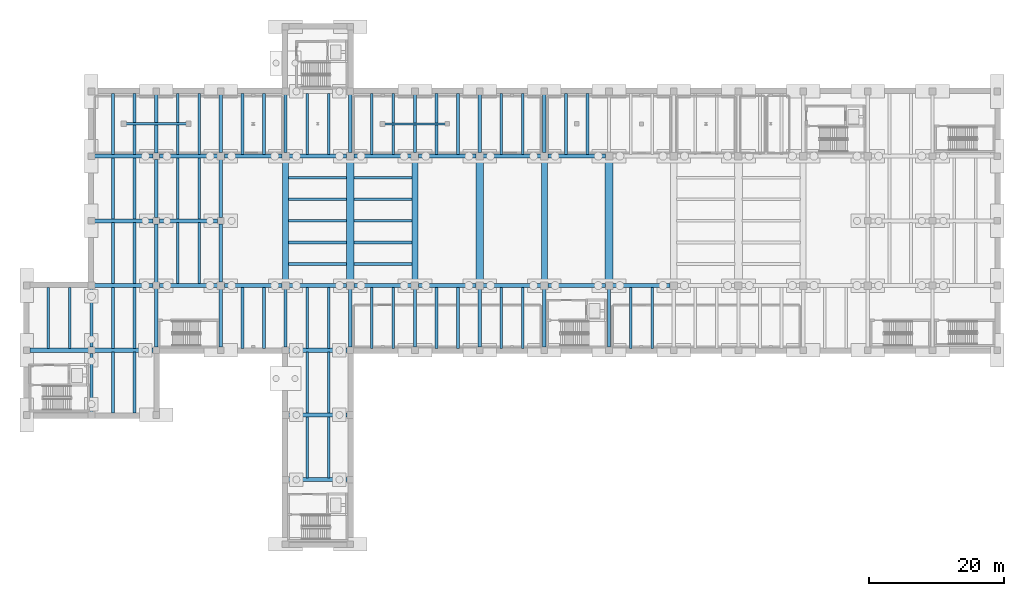
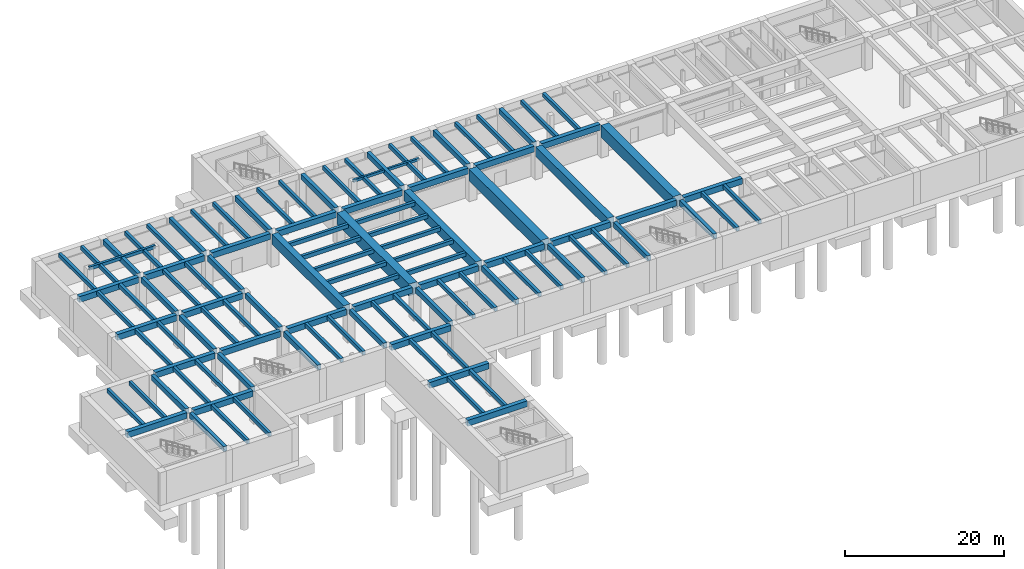
# One storey, part 7 of 24: 109 beams.
"""IFC4 building model written with IfcOpenShell, lengths in metres."""

from ifc_helpers import new_model, si_unit, direction, frame, origin, origin_2d, place, context, subcontext, project, spatial, rectangle, extrude, material, material_profile, profile_set, type_object, element, save


model = new_model("IFC4")

# Units and contexts
model_context = context("Model", 3, precision=1e-05, world=origin(), true_north=direction((0.0, 1.0)))
body_context = subcontext(model_context, "Body", "Model", "MODEL_VIEW")
ifc_project = project(units=[si_unit("LENGTHUNIT", "METRE"), si_unit("AREAUNIT", "SQUARE_METRE"), si_unit("VOLUMEUNIT", "CUBIC_METRE"), si_unit("PLANEANGLEUNIT", "RADIAN"), si_unit("MASSUNIT", "GRAM", prefix="KILO")], contexts=[model_context])

# Site, building, storey
site_placement = place(None, origin())
site = spatial("IfcSite", under=ifc_project, at=site_placement, CompositionType="ELEMENT")
building_placement = place(site_placement, origin())
building = spatial("IfcBuilding", under=site, at=building_placement, Name="Coralgate Yard Interchange", CompositionType="ELEMENT")
storey_placement = place(building_placement, frame((0.0, 0.0, -10.800048828125)))
storey = spatial("IfcBuildingStorey", under=building, at=storey_placement, Name="B2", CompositionType="ELEMENT", Elevation=-10.800048828125)

# Beams
ifc_material = material(Name="Concrete C40/50", Category="concrete")
ifc_material_profile_1 = material_profile(ifc_material, rectangle(XDim=0.60009765625, YDim=0.89990234375, at=origin_2d()), Name="RC 600x900")
ifc_profile_set_1 = profile_set([ifc_material_profile_1], Name="Concrete C40/50")
beam_type_1 = type_object("IfcBeamType", Name="BM-CB-3", PredefinedType="BEAM", material=ifc_profile_set_1)
for number, where, z_axis, x_axis, name in (
    (1, (48.469970703125, 19.199951171875, 4.60009765625), (1.0, 0.0, 0.0), (0.0, 1.0, 0.0), "B2 primary grid beam Y2 X5-6"),
    (2, (48.469970703125, 28.800048828125, 4.60009765625), (1.0, 0.0, 0.0), (0.0, 1.0, 0.0), "B2 primary grid beam Y3 X5-6"),
    (3, (10.070068359375, 38.39990234375, 4.60009765625), (1.0, 0.0, 0.0), (0.0, 1.0, 0.0), "B2 primary grid beam Y4 X1-2"),
):
    element("IfcBeam", number, at=place(storey_placement, frame(where, z_axis=z_axis, x_axis=x_axis)), inside=storey, type_object=beam_type_1, Name=name, PredefinedType="BEAM", context=body_context, shape_type="SweptSolid", body=[
        extrude(rectangle(XDim=0.60009765625, YDim=0.89990234375, at=origin_2d()), origin(), (0.0, 0.0, 1.0), 8.659912109375),
    ])
beam_1_placement = place(storey_placement, frame((19.669921875, 38.39990234375, 4.60009765625), z_axis=(1.0, 0.0, 0.0), x_axis=(0.0, 1.0, 0.0)))
element("IfcBeam", 4, at=beam_1_placement, inside=storey, type_object=beam_type_1, Name="B2 primary grid beam Y4 X2-3", PredefinedType="BEAM", context=body_context, shape_type="SweptSolid", body=[
    extrude(rectangle(XDim=0.60009765625, YDim=0.89990234375, at=origin_2d()), origin(), (0.0, 0.0, 1.0), 8.66015625),
])
beam_2_placement = place(storey_placement, frame((48.469970703125, 38.39990234375, 4.60009765625), z_axis=(1.0, 0.0, 0.0), x_axis=(0.0, 1.0, 0.0)))
element("IfcBeam", 5, at=beam_2_placement, inside=storey, type_object=beam_type_1, Name="B2 primary grid beam Y4 X5-6", PredefinedType="BEAM", context=body_context, shape_type="SweptSolid", body=[
    extrude(rectangle(XDim=0.60009765625, YDim=0.89990234375, at=origin_2d()), origin(), (0.0, 0.0, 1.0), 8.659912109375),
])
beam_3_placement = place(storey_placement, frame((19.669921875, 48.0, 4.60009765625), z_axis=(1.0, 0.0, 0.0), x_axis=(0.0, 1.0, 0.0)))
element("IfcBeam", 6, at=beam_3_placement, inside=storey, type_object=beam_type_1, Name="B2 primary grid beam Y5 X2-3", PredefinedType="BEAM", context=body_context, shape_type="SweptSolid", body=[
    extrude(rectangle(XDim=0.60009765625, YDim=0.89990234375, at=origin_2d()), origin(), (0.0, 0.0, 1.0), 8.66015625),
])
beam_4_placement = place(storey_placement, frame((29.27001953125, 48.0, 4.60009765625), z_axis=(1.0, 0.0, 0.0), x_axis=(0.0, 1.0, 0.0)))
element("IfcBeam", 7, at=beam_4_placement, inside=storey, type_object=beam_type_1, Name="B2 primary grid beam Y5 X3-4", PredefinedType="BEAM", context=body_context, shape_type="SweptSolid", body=[
    extrude(rectangle(XDim=0.60009765625, YDim=0.89990234375, at=origin_2d()), origin(), (0.0, 0.0, 1.0), 8.60986328125),
])
for number, where, z_axis, x_axis, name in (
    (8, (38.919921875, 48.0, 4.60009765625), (1.0, 0.0, 0.0), (0.0, 1.0, 0.0), "B2 primary grid beam Y5 X4-5"),
    (9, (48.52001953125, 48.0, 4.60009765625), (1.0, 0.0, 0.0), (0.0, 1.0, 0.0), "B2 primary grid beam Y5 X5-6"),
):
    element("IfcBeam", number, at=place(storey_placement, frame(where, z_axis=z_axis, x_axis=x_axis)), inside=storey, type_object=beam_type_1, Name=name, PredefinedType="BEAM", context=body_context, shape_type="SweptSolid", body=[
        extrude(rectangle(XDim=0.60009765625, YDim=0.89990234375, at=origin_2d()), origin(), (0.0, 0.0, 1.0), 8.56005859375),
    ])
beam_5_placement = place(storey_placement, frame((58.1201171875, 48.0, 4.60009765625), z_axis=(1.0, 0.0, 0.0), x_axis=(0.0, 1.0, 0.0)))
element("IfcBeam", 10, at=beam_5_placement, inside=storey, type_object=beam_type_1, Name="B2 primary grid beam Y5 X6-7", PredefinedType="BEAM", context=body_context, shape_type="SweptSolid", body=[
    extrude(rectangle(XDim=0.60009765625, YDim=0.89990234375, at=origin_2d()), origin(), (0.0, 0.0, 1.0), 8.559814453125),
])
beam_6_placement = place(storey_placement, frame((67.719970703125, 48.0, 4.60009765625), z_axis=(1.0, 0.0, 0.0), x_axis=(0.0, 1.0, 0.0)))
element("IfcBeam", 11, at=beam_6_placement, inside=storey, type_object=beam_type_1, Name="B2 primary grid beam Y5 X7-8", PredefinedType="BEAM", context=body_context, shape_type="SweptSolid", body=[
    extrude(rectangle(XDim=0.60009765625, YDim=0.89990234375, at=origin_2d()), origin(), (0.0, 0.0, 1.0), 8.56005859375),
])
beam_7_placement = place(storey_placement, frame((77.320068359375, 48.0, 4.60009765625), z_axis=(1.0, 0.0, 0.0), x_axis=(0.0, 1.0, 0.0)))
element("IfcBeam", 12, at=beam_7_placement, inside=storey, type_object=beam_type_1, Name="B2 primary grid beam Y5 X8-9", PredefinedType="BEAM", context=body_context, shape_type="SweptSolid", body=[
    extrude(rectangle(XDim=0.60009765625, YDim=0.89990234375, at=origin_2d()), origin(), (0.0, 0.0, 1.0), 8.559814453125),
])
for number, where, z_axis, x_axis, name in (
    (13, (86.919921875, 48.0, 4.60009765625), (1.0, 0.0, 0.0), (0.0, 1.0, 0.0), "B2 primary grid beam Y5 X9-10"),
    (14, (96.52001953125, 48.0, 4.60009765625), (1.0, 0.0, 0.0), (0.0, 1.0, 0.0), "B2 primary grid beam Y5 X10-11"),
):
    element("IfcBeam", number, at=place(storey_placement, frame(where, z_axis=z_axis, x_axis=x_axis)), inside=storey, type_object=beam_type_1, Name=name, PredefinedType="BEAM", context=body_context, shape_type="SweptSolid", body=[
        extrude(rectangle(XDim=0.60009765625, YDim=0.89990234375, at=origin_2d()), origin(), (0.0, 0.0, 1.0), 8.56005859375),
    ])
beam_8_placement = place(storey_placement, frame((19.669921875, 57.60009765625, 4.60009765625), z_axis=(1.0, 0.0, 0.0), x_axis=(0.0, 1.0, 0.0)))
element("IfcBeam", 15, at=beam_8_placement, inside=storey, type_object=beam_type_1, Name="B2 primary grid beam Y6 X2-3", PredefinedType="BEAM", context=body_context, shape_type="SweptSolid", body=[
    extrude(rectangle(XDim=0.60009765625, YDim=0.89990234375, at=origin_2d()), origin(), (0.0, 0.0, 1.0), 8.66015625),
])
beam_9_placement = place(storey_placement, frame((29.27001953125, 57.60009765625, 4.60009765625), z_axis=(1.0, 0.0, 0.0), x_axis=(0.0, 1.0, 0.0)))
element("IfcBeam", 16, at=beam_9_placement, inside=storey, type_object=beam_type_1, Name="B2 primary grid beam Y6 X3-4", PredefinedType="BEAM", context=body_context, shape_type="SweptSolid", body=[
    extrude(rectangle(XDim=0.60009765625, YDim=0.89990234375, at=origin_2d()), origin(), (0.0, 0.0, 1.0), 8.659912109375),
])
beam_10_placement = place(storey_placement, frame((19.669921875, 67.199951171875, 4.60009765625), z_axis=(1.0, 0.0, 0.0), x_axis=(0.0, 1.0, 0.0)))
element("IfcBeam", 17, at=beam_10_placement, inside=storey, type_object=beam_type_1, Name="B2 primary grid beam Y7 X2-3", PredefinedType="BEAM", context=body_context, shape_type="SweptSolid", body=[
    extrude(rectangle(XDim=0.60009765625, YDim=0.89990234375, at=origin_2d()), origin(), (0.0, 0.0, 1.0), 8.66015625),
])
beam_11_placement = place(storey_placement, frame((29.27001953125, 67.199951171875, 4.60009765625), z_axis=(1.0, 0.0, 0.0), x_axis=(0.0, 1.0, 0.0)))
element("IfcBeam", 18, at=beam_11_placement, inside=storey, type_object=beam_type_1, Name="B2 primary grid beam Y7 X3-4", PredefinedType="BEAM", context=body_context, shape_type="SweptSolid", body=[
    extrude(rectangle(XDim=0.60009765625, YDim=0.89990234375, at=origin_2d()), origin(), (0.0, 0.0, 1.0), 8.60986328125),
])
for number, where, z_axis, x_axis, name in (
    (19, (38.919921875, 67.199951171875, 4.60009765625), (1.0, 0.0, 0.0), (0.0, 1.0, 0.0), "B2 primary grid beam Y7 X4-5"),
    (20, (48.52001953125, 67.199951171875, 4.60009765625), (1.0, 0.0, 0.0), (0.0, 1.0, 0.0), "B2 primary grid beam Y7 X5-6"),
):
    element("IfcBeam", number, at=place(storey_placement, frame(where, z_axis=z_axis, x_axis=x_axis)), inside=storey, type_object=beam_type_1, Name=name, PredefinedType="BEAM", context=body_context, shape_type="SweptSolid", body=[
        extrude(rectangle(XDim=0.60009765625, YDim=0.89990234375, at=origin_2d()), origin(), (0.0, 0.0, 1.0), 8.56005859375),
    ])
beam_12_placement = place(storey_placement, frame((58.1201171875, 67.199951171875, 4.60009765625), z_axis=(1.0, 0.0, 0.0), x_axis=(0.0, 1.0, 0.0)))
element("IfcBeam", 21, at=beam_12_placement, inside=storey, type_object=beam_type_1, Name="B2 primary grid beam Y7 X6-7", PredefinedType="BEAM", context=body_context, shape_type="SweptSolid", body=[
    extrude(rectangle(XDim=0.60009765625, YDim=0.89990234375, at=origin_2d()), origin(), (0.0, 0.0, 1.0), 8.559814453125),
])
beam_13_placement = place(storey_placement, frame((67.719970703125, 67.199951171875, 4.60009765625), z_axis=(1.0, 0.0, 0.0), x_axis=(0.0, 1.0, 0.0)))
element("IfcBeam", 22, at=beam_13_placement, inside=storey, type_object=beam_type_1, Name="B2 primary grid beam Y7 X7-8", PredefinedType="BEAM", context=body_context, shape_type="SweptSolid", body=[
    extrude(rectangle(XDim=0.60009765625, YDim=0.89990234375, at=origin_2d()), origin(), (0.0, 0.0, 1.0), 8.56005859375),
])
beam_14_placement = place(storey_placement, frame((77.320068359375, 67.199951171875, 4.60009765625), z_axis=(1.0, 0.0, 0.0), x_axis=(0.0, 1.0, 0.0)))
element("IfcBeam", 23, at=beam_14_placement, inside=storey, type_object=beam_type_1, Name="B2 primary grid beam Y7 X8-9", PredefinedType="BEAM", context=body_context, shape_type="SweptSolid", body=[
    extrude(rectangle(XDim=0.60009765625, YDim=0.89990234375, at=origin_2d()), origin(), (0.0, 0.0, 1.0), 8.559814453125),
])
beam_15_placement = place(storey_placement, frame((86.919921875, 67.199951171875, 4.60009765625), z_axis=(1.0, 0.0, 0.0), x_axis=(0.0, 1.0, 0.0)))
element("IfcBeam", 24, at=beam_15_placement, inside=storey, type_object=beam_type_1, Name="B2 primary grid beam Y7 X9-10", PredefinedType="BEAM", context=body_context, shape_type="SweptSolid", body=[
    extrude(rectangle(XDim=0.60009765625, YDim=0.89990234375, at=origin_2d()), origin(), (0.0, 0.0, 1.0), 8.56005859375),
])
ifc_material_profile_2 = material_profile(ifc_material, rectangle(XDim=0.5, YDim=0.800048828125, at=origin_2d()), Name="RC 500x800")
ifc_profile_set_2 = profile_set([ifc_material_profile_2], Name="Concrete C40/50")
beam_type_2 = type_object("IfcBeamType", Name="BM-CB-4", PredefinedType="BEAM", material=ifc_profile_set_2)
for number, where, z_axis, x_axis, name in (
    (25, (19.199951171875, 29.27001953125, 4.650146484375), (0.0, 1.0, 0.0), (-1.0, 0.0, 0.0), "B2 primary grid girder X2 Y3-4"),
    (26, (19.199951171875, 38.8701171875, 4.650146484375), (0.0, 1.0, 0.0), (-1.0, 0.0, 0.0), "B2 primary grid girder X2 Y4-5"),
    (27, (28.800048828125, 38.8701171875, 4.650146484375), (0.0, 1.0, 0.0), (-1.0, 0.0, 0.0), "B2 primary grid girder X3 Y4-5"),
    (28, (28.800048828125, 48.469970703125, 4.650146484375), (0.0, 1.0, 0.0), (-1.0, 0.0, 0.0), "B2 primary grid girder X3 Y5-6"),
    (29, (28.800048828125, 58.070068359375, 4.650146484375), (0.0, 1.0, 0.0), (-1.0, 0.0, 0.0), "B2 primary grid girder X3 Y6-7"),
):
    element("IfcBeam", number, at=place(storey_placement, frame(where, z_axis=z_axis, x_axis=x_axis)), inside=storey, type_object=beam_type_2, Name=name, PredefinedType="BEAM", context=body_context, shape_type="SweptSolid", body=[
        extrude(rectangle(XDim=0.5, YDim=0.800048828125, at=origin_2d()), origin(), (0.0, 0.0, 1.0), 8.659912109375),
    ])
beam_16_placement = place(storey_placement, frame((28.800048828125, 67.669921875, 4.650146484375), z_axis=(0.0, 1.0, 0.0), x_axis=(-1.0, 0.0, 0.0)))
element("IfcBeam", 30, at=beam_16_placement, inside=storey, type_object=beam_type_2, Name="B2 primary grid girder X3 Y7-8", PredefinedType="BEAM", context=body_context, shape_type="SweptSolid", body=[
    extrude(rectangle(XDim=0.5, YDim=0.800048828125, at=origin_2d()), origin(), (0.0, 0.0, 1.0), 8.66015625),
])
for number, where, z_axis, x_axis, name in (
    (31, (38.39990234375, 38.8701171875, 4.650146484375), (0.0, 1.0, 0.0), (-1.0, 0.0, 0.0), "B2 primary grid girder X4 Y4-5"),
    (32, (38.39990234375, 48.52001953125, 4.650146484375), (0.0, 1.0, 0.0), (-1.0, 0.0, 0.0), "B2 primary grid girder X4 Y5-6"),
    (33, (38.39990234375, 58.070068359375, 4.650146484375), (0.0, 1.0, 0.0), (-1.0, 0.0, 0.0), "B2 primary grid girder X4 Y6-7"),
):
    element("IfcBeam", number, at=place(storey_placement, frame(where, z_axis=z_axis, x_axis=x_axis)), inside=storey, type_object=beam_type_2, Name=name, PredefinedType="BEAM", context=body_context, shape_type="SweptSolid", body=[
        extrude(rectangle(XDim=0.5, YDim=0.800048828125, at=origin_2d()), origin(), (0.0, 0.0, 1.0), 8.60986328125),
    ])
beam_17_placement = place(storey_placement, frame((38.39990234375, 67.719970703125, 4.650146484375), z_axis=(0.0, 1.0, 0.0), x_axis=(-1.0, 0.0, 0.0)))
element("IfcBeam", 34, at=beam_17_placement, inside=storey, type_object=beam_type_2, Name="B2 primary grid girder X4 Y7-8", PredefinedType="BEAM", context=body_context, shape_type="SweptSolid", body=[
    extrude(rectangle(XDim=0.5, YDim=0.800048828125, at=origin_2d()), origin(), (0.0, 0.0, 1.0), 8.610107421875),
])
beam_18_placement = place(storey_placement, frame((48.0, 38.8701171875, 4.650146484375), z_axis=(0.0, 1.0, 0.0), x_axis=(-1.0, 0.0, 0.0)))
element("IfcBeam", 35, at=beam_18_placement, inside=storey, type_object=beam_type_2, Name="B2 primary grid girder X5 Y4-5", PredefinedType="BEAM", context=body_context, shape_type="SweptSolid", body=[
    extrude(rectangle(XDim=0.5, YDim=0.800048828125, at=origin_2d()), origin(), (0.0, 0.0, 1.0), 8.60986328125),
])
beam_19_placement = place(storey_placement, frame((48.0, 67.719970703125, 4.650146484375), z_axis=(0.0, 1.0, 0.0), x_axis=(-1.0, 0.0, 0.0)))
element("IfcBeam", 36, at=beam_19_placement, inside=storey, type_object=beam_type_2, Name="B2 primary grid girder X5 Y7-8", PredefinedType="BEAM", context=body_context, shape_type="SweptSolid", body=[
    extrude(rectangle(XDim=0.5, YDim=0.800048828125, at=origin_2d()), origin(), (0.0, 0.0, 1.0), 8.610107421875),
])
beam_20_placement = place(storey_placement, frame((57.60009765625, 38.8701171875, 4.650146484375), z_axis=(0.0, 1.0, 0.0), x_axis=(-1.0, 0.0, 0.0)))
element("IfcBeam", 37, at=beam_20_placement, inside=storey, type_object=beam_type_2, Name="B2 primary grid girder X6 Y4-5", PredefinedType="BEAM", context=body_context, shape_type="SweptSolid", body=[
    extrude(rectangle(XDim=0.5, YDim=0.800048828125, at=origin_2d()), origin(), (0.0, 0.0, 1.0), 8.60986328125),
])
beam_21_placement = place(storey_placement, frame((57.60009765625, 67.719970703125, 4.650146484375), z_axis=(0.0, 1.0, 0.0), x_axis=(-1.0, 0.0, 0.0)))
element("IfcBeam", 38, at=beam_21_placement, inside=storey, type_object=beam_type_2, Name="B2 primary grid girder X6 Y7-8", PredefinedType="BEAM", context=body_context, shape_type="SweptSolid", body=[
    extrude(rectangle(XDim=0.5, YDim=0.800048828125, at=origin_2d()), origin(), (0.0, 0.0, 1.0), 8.610107421875),
])
beam_22_placement = place(storey_placement, frame((67.199951171875, 38.8701171875, 4.650146484375), z_axis=(0.0, 1.0, 0.0), x_axis=(-1.0, 0.0, 0.0)))
element("IfcBeam", 39, at=beam_22_placement, inside=storey, type_object=beam_type_2, Name="B2 primary grid girder X7 Y4-5", PredefinedType="BEAM", context=body_context, shape_type="SweptSolid", body=[
    extrude(rectangle(XDim=0.5, YDim=0.800048828125, at=origin_2d()), origin(), (0.0, 0.0, 1.0), 8.60986328125),
])
beam_23_placement = place(storey_placement, frame((67.199951171875, 67.719970703125, 4.650146484375), z_axis=(0.0, 1.0, 0.0), x_axis=(-1.0, 0.0, 0.0)))
element("IfcBeam", 40, at=beam_23_placement, inside=storey, type_object=beam_type_2, Name="B2 primary grid girder X7 Y7-8", PredefinedType="BEAM", context=body_context, shape_type="SweptSolid", body=[
    extrude(rectangle(XDim=0.5, YDim=0.800048828125, at=origin_2d()), origin(), (0.0, 0.0, 1.0), 8.610107421875),
])
beam_24_placement = place(storey_placement, frame((76.800048828125, 38.8701171875, 4.650146484375), z_axis=(0.0, 1.0, 0.0), x_axis=(-1.0, 0.0, 0.0)))
element("IfcBeam", 41, at=beam_24_placement, inside=storey, type_object=beam_type_2, Name="B2 primary grid girder X8 Y4-5", PredefinedType="BEAM", context=body_context, shape_type="SweptSolid", body=[
    extrude(rectangle(XDim=0.5, YDim=0.800048828125, at=origin_2d()), origin(), (0.0, 0.0, 1.0), 8.60986328125),
])
beam_25_placement = place(storey_placement, frame((76.800048828125, 67.719970703125, 4.650146484375), z_axis=(0.0, 1.0, 0.0), x_axis=(-1.0, 0.0, 0.0)))
element("IfcBeam", 42, at=beam_25_placement, inside=storey, type_object=beam_type_2, Name="B2 primary grid girder X8 Y7-8", PredefinedType="BEAM", context=body_context, shape_type="SweptSolid", body=[
    extrude(rectangle(XDim=0.5, YDim=0.800048828125, at=origin_2d()), origin(), (0.0, 0.0, 1.0), 8.610107421875),
])
beam_26_placement = place(storey_placement, frame((86.39990234375, 38.8701171875, 4.650146484375), z_axis=(0.0, 1.0, 0.0), x_axis=(-1.0, 0.0, 0.0)))
element("IfcBeam", 43, at=beam_26_placement, inside=storey, type_object=beam_type_2, Name="B2 primary grid girder X9 Y4-5", PredefinedType="BEAM", context=body_context, shape_type="SweptSolid", body=[
    extrude(rectangle(XDim=0.5, YDim=0.800048828125, at=origin_2d()), origin(), (0.0, 0.0, 1.0), 8.60986328125),
])
beam_27_placement = place(storey_placement, frame((86.39990234375, 67.719970703125, 4.650146484375), z_axis=(0.0, 1.0, 0.0), x_axis=(-1.0, 0.0, 0.0)))
element("IfcBeam", 44, at=beam_27_placement, inside=storey, type_object=beam_type_2, Name="B2 primary grid girder X9 Y7-8", PredefinedType="BEAM", context=body_context, shape_type="SweptSolid", body=[
    extrude(rectangle(XDim=0.5, YDim=0.800048828125, at=origin_2d()), origin(), (0.0, 0.0, 1.0), 8.610107421875),
])
beam_28_placement = place(storey_placement, frame((96.0, 38.8701171875, 4.650146484375), z_axis=(0.0, 1.0, 0.0), x_axis=(-1.0, 0.0, 0.0)))
element("IfcBeam", 45, at=beam_28_placement, inside=storey, type_object=beam_type_2, Name="B2 primary grid girder X10 Y4-5", PredefinedType="BEAM", context=body_context, shape_type="SweptSolid", body=[
    extrude(rectangle(XDim=0.5, YDim=0.800048828125, at=origin_2d()), origin(), (0.0, 0.0, 1.0), 8.60986328125),
])
ifc_material_profile_3 = material_profile(ifc_material, rectangle(XDim=0.39990234375, YDim=0.60009765625, at=origin_2d()), Name="RC 400x600")
ifc_profile_set_3 = profile_set([ifc_material_profile_3], Name="Concrete C40/50")
beam_type_3 = type_object("IfcBeamType", Name="BM-CB-5", PredefinedType="BEAM", material=ifc_profile_set_3)
for number, where, z_axis, x_axis, name in (
    (46, (12.800048828125, 38.669921875, 4.75), (0.0, 1.0, 0.0), (-1.0, 0.0, 0.0), "B2 composite floor joist 1-4-1"),
    (47, (16.0, 38.669921875, 4.75), (0.0, 1.0, 0.0), (-1.0, 0.0, 0.0), "B2 composite floor joist 1-4-2"),
):
    element("IfcBeam", number, at=place(storey_placement, frame(where, z_axis=z_axis, x_axis=x_axis)), inside=storey, type_object=beam_type_3, Name=name, PredefinedType="BEAM", context=body_context, shape_type="SweptSolid", body=[
        extrude(rectangle(XDim=0.39990234375, YDim=0.60009765625, at=origin_2d()), origin(), (0.0, 0.0, 1.0), 9.06005859375),
    ])
for number, where, z_axis, x_axis, name in (
    (48, (22.39990234375, 29.070068359375, 4.75), (0.0, 1.0, 0.0), (-1.0, 0.0, 0.0), "B2 composite floor joist 2-3-1"),
    (49, (25.60009765625, 29.070068359375, 4.75), (0.0, 1.0, 0.0), (-1.0, 0.0, 0.0), "B2 composite floor joist 2-3-2"),
):
    element("IfcBeam", number, at=place(storey_placement, frame(where, z_axis=z_axis, x_axis=x_axis)), inside=storey, type_object=beam_type_3, Name=name, PredefinedType="BEAM", context=body_context, shape_type="SweptSolid", body=[
        extrude(rectangle(XDim=0.39990234375, YDim=0.60009765625, at=origin_2d()), origin(), (0.0, 0.0, 1.0), 9.059814453125),
    ])
for number, where, z_axis, x_axis, name in (
    (50, (22.39990234375, 38.669921875, 4.75), (0.0, 1.0, 0.0), (-1.0, 0.0, 0.0), "B2 composite floor joist 2-4-1"),
    (51, (25.60009765625, 38.669921875, 4.75), (0.0, 1.0, 0.0), (-1.0, 0.0, 0.0), "B2 composite floor joist 2-4-2"),
    (52, (22.39990234375, 48.27001953125, 4.75), (0.0, 1.0, 0.0), (-1.0, 0.0, 0.0), "B2 composite floor joist 2-5-1"),
    (53, (25.60009765625, 48.27001953125, 4.75), (0.0, 1.0, 0.0), (-1.0, 0.0, 0.0), "B2 composite floor joist 2-5-2"),
):
    element("IfcBeam", number, at=place(storey_placement, frame(where, z_axis=z_axis, x_axis=x_axis)), inside=storey, type_object=beam_type_3, Name=name, PredefinedType="BEAM", context=body_context, shape_type="SweptSolid", body=[
        extrude(rectangle(XDim=0.39990234375, YDim=0.60009765625, at=origin_2d()), origin(), (0.0, 0.0, 1.0), 9.06005859375),
    ])
for number, where, z_axis, x_axis, name in (
    (54, (22.39990234375, 57.8701171875, 4.75), (0.0, 1.0, 0.0), (-1.0, 0.0, 0.0), "B2 composite floor joist 2-6-1"),
    (55, (25.60009765625, 57.8701171875, 4.75), (0.0, 1.0, 0.0), (-1.0, 0.0, 0.0), "B2 composite floor joist 2-6-2"),
):
    element("IfcBeam", number, at=place(storey_placement, frame(where, z_axis=z_axis, x_axis=x_axis)), inside=storey, type_object=beam_type_3, Name=name, PredefinedType="BEAM", context=body_context, shape_type="SweptSolid", body=[
        extrude(rectangle(XDim=0.39990234375, YDim=0.60009765625, at=origin_2d()), origin(), (0.0, 0.0, 1.0), 9.059814453125),
    ])
for number, where, z_axis, x_axis, name in (
    (56, (22.39990234375, 67.469970703125, 4.75), (0.0, 1.0, 0.0), (-1.0, 0.0, 0.0), "B2 composite floor joist 2-7-1"),
    (57, (25.60009765625, 67.469970703125, 4.75), (0.0, 1.0, 0.0), (-1.0, 0.0, 0.0), "B2 composite floor joist 2-7-2"),
    (58, (32.0, 48.27001953125, 4.75), (0.0, 1.0, 0.0), (-1.0, 0.0, 0.0), "B2 composite floor joist 3-5-1"),
    (59, (35.199951171875, 48.27001953125, 4.75), (0.0, 1.0, 0.0), (-1.0, 0.0, 0.0), "B2 composite floor joist 3-5-2"),
):
    element("IfcBeam", number, at=place(storey_placement, frame(where, z_axis=z_axis, x_axis=x_axis)), inside=storey, type_object=beam_type_3, Name=name, PredefinedType="BEAM", context=body_context, shape_type="SweptSolid", body=[
        extrude(rectangle(XDim=0.39990234375, YDim=0.60009765625, at=origin_2d()), origin(), (0.0, 0.0, 1.0), 9.06005859375),
    ])
for number, where, z_axis, x_axis, name in (
    (60, (32.0, 57.8701171875, 4.75), (0.0, 1.0, 0.0), (-1.0, 0.0, 0.0), "B2 composite floor joist 3-6-1"),
    (61, (35.199951171875, 57.8701171875, 4.75), (0.0, 1.0, 0.0), (-1.0, 0.0, 0.0), "B2 composite floor joist 3-6-2"),
):
    element("IfcBeam", number, at=place(storey_placement, frame(where, z_axis=z_axis, x_axis=x_axis)), inside=storey, type_object=beam_type_3, Name=name, PredefinedType="BEAM", context=body_context, shape_type="SweptSolid", body=[
        extrude(rectangle(XDim=0.39990234375, YDim=0.60009765625, at=origin_2d()), origin(), (0.0, 0.0, 1.0), 9.059814453125),
    ])
for number, where, z_axis, x_axis, name in (
    (62, (32.0, 67.469970703125, 4.75), (0.0, 1.0, 0.0), (-1.0, 0.0, 0.0), "B2 composite floor joist 3-7-1"),
    (63, (35.199951171875, 67.469970703125, 4.75), (0.0, 1.0, 0.0), (-1.0, 0.0, 0.0), "B2 composite floor joist 3-7-2"),
    (64, (41.60009765625, 38.669921875, 4.75), (0.0, 1.0, 0.0), (-1.0, 0.0, 0.0), "B2 composite floor joist 4-4-1"),
    (65, (44.800048828125, 38.669921875, 4.75), (0.0, 1.0, 0.0), (-1.0, 0.0, 0.0), "B2 composite floor joist 4-4-2"),
    (66, (41.60009765625, 67.469970703125, 4.75), (0.0, 1.0, 0.0), (-1.0, 0.0, 0.0), "B2 composite floor joist 4-7-1"),
    (67, (44.800048828125, 67.469970703125, 4.75), (0.0, 1.0, 0.0), (-1.0, 0.0, 0.0), "B2 composite floor joist 4-7-2"),
    (68, (51.199951171875, 19.469970703125, 4.75), (0.0, 1.0, 0.0), (-1.0, 0.0, 0.0), "B2 composite floor joist 5-2-1"),
    (69, (54.39990234375, 19.469970703125, 4.75), (0.0, 1.0, 0.0), (-1.0, 0.0, 0.0), "B2 composite floor joist 5-2-2"),
):
    element("IfcBeam", number, at=place(storey_placement, frame(where, z_axis=z_axis, x_axis=x_axis)), inside=storey, type_object=beam_type_3, Name=name, PredefinedType="BEAM", context=body_context, shape_type="SweptSolid", body=[
        extrude(rectangle(XDim=0.39990234375, YDim=0.60009765625, at=origin_2d()), origin(), (0.0, 0.0, 1.0), 9.06005859375),
    ])
for number, where, z_axis, x_axis, name in (
    (70, (51.199951171875, 29.070068359375, 4.75), (0.0, 1.0, 0.0), (-1.0, 0.0, 0.0), "B2 composite floor joist 5-3-1"),
    (71, (54.39990234375, 29.070068359375, 4.75), (0.0, 1.0, 0.0), (-1.0, 0.0, 0.0), "B2 composite floor joist 5-3-2"),
):
    element("IfcBeam", number, at=place(storey_placement, frame(where, z_axis=z_axis, x_axis=x_axis)), inside=storey, type_object=beam_type_3, Name=name, PredefinedType="BEAM", context=body_context, shape_type="SweptSolid", body=[
        extrude(rectangle(XDim=0.39990234375, YDim=0.60009765625, at=origin_2d()), origin(), (0.0, 0.0, 1.0), 9.059814453125),
    ])
for number, where, z_axis, x_axis, name in (
    (72, (51.199951171875, 38.669921875, 4.75), (0.0, 1.0, 0.0), (-1.0, 0.0, 0.0), "B2 composite floor joist 5-4-1"),
    (73, (54.39990234375, 38.669921875, 4.75), (0.0, 1.0, 0.0), (-1.0, 0.0, 0.0), "B2 composite floor joist 5-4-2"),
):
    element("IfcBeam", number, at=place(storey_placement, frame(where, z_axis=z_axis, x_axis=x_axis)), inside=storey, type_object=beam_type_3, Name=name, PredefinedType="BEAM", context=body_context, shape_type="SweptSolid", body=[
        extrude(rectangle(XDim=0.39990234375, YDim=0.60009765625, at=origin_2d()), origin(), (0.0, 0.0, 1.0), 9.06005859375),
    ])
for number, where, z_axis, x_axis, name in (
    (74, (48.419921875, 51.199951171875, 4.75), (1.0, 0.0, 0.0), (0.0, 1.0, 0.0), "B2 metro bay secondary beam 5-1"),
    (75, (48.419921875, 54.39990234375, 4.75), (1.0, 0.0, 0.0), (0.0, 1.0, 0.0), "B2 metro bay secondary beam 5-2"),
    (76, (48.419921875, 57.60009765625, 4.75), (1.0, 0.0, 0.0), (0.0, 1.0, 0.0), "B2 metro bay secondary beam 5-3"),
    (77, (48.419921875, 60.800048828125, 4.75), (1.0, 0.0, 0.0), (0.0, 1.0, 0.0), "B2 metro bay secondary beam 5-4"),
    (78, (48.419921875, 64.0, 4.75), (1.0, 0.0, 0.0), (0.0, 1.0, 0.0), "B2 metro bay secondary beam 5-5"),
):
    element("IfcBeam", number, at=place(storey_placement, frame(where, z_axis=z_axis, x_axis=x_axis)), inside=storey, type_object=beam_type_3, Name=name, PredefinedType="BEAM", context=body_context, shape_type="SweptSolid", body=[
        extrude(rectangle(XDim=0.39990234375, YDim=0.60009765625, at=origin_2d()), origin(), (0.0, 0.0, 1.0), 8.635009765625),
    ])
for number, where, z_axis, x_axis, name in (
    (79, (51.199951171875, 67.469970703125, 4.75), (0.0, 1.0, 0.0), (-1.0, 0.0, 0.0), "B2 composite floor joist 5-7-1"),
    (80, (54.39990234375, 67.469970703125, 4.75), (0.0, 1.0, 0.0), (-1.0, 0.0, 0.0), "B2 composite floor joist 5-7-2"),
    (81, (60.800048828125, 38.669921875, 4.75), (0.0, 1.0, 0.0), (-1.0, 0.0, 0.0), "B2 composite floor joist 6-4-1"),
    (82, (64.0, 38.669921875, 4.75), (0.0, 1.0, 0.0), (-1.0, 0.0, 0.0), "B2 composite floor joist 6-4-2"),
):
    element("IfcBeam", number, at=place(storey_placement, frame(where, z_axis=z_axis, x_axis=x_axis)), inside=storey, type_object=beam_type_3, Name=name, PredefinedType="BEAM", context=body_context, shape_type="SweptSolid", body=[
        extrude(rectangle(XDim=0.39990234375, YDim=0.60009765625, at=origin_2d()), origin(), (0.0, 0.0, 1.0), 9.06005859375),
    ])
for number, where, z_axis, x_axis, name in (
    (83, (58.14501953125, 51.199951171875, 4.75), (1.0, 0.0, 0.0), (0.0, 1.0, 0.0), "B2 metro bay secondary beam 6-1"),
    (84, (58.14501953125, 54.39990234375, 4.75), (1.0, 0.0, 0.0), (0.0, 1.0, 0.0), "B2 metro bay secondary beam 6-2"),
    (85, (58.14501953125, 57.60009765625, 4.75), (1.0, 0.0, 0.0), (0.0, 1.0, 0.0), "B2 metro bay secondary beam 6-3"),
    (86, (58.14501953125, 60.800048828125, 4.75), (1.0, 0.0, 0.0), (0.0, 1.0, 0.0), "B2 metro bay secondary beam 6-4"),
    (87, (58.14501953125, 64.0, 4.75), (1.0, 0.0, 0.0), (0.0, 1.0, 0.0), "B2 metro bay secondary beam 6-5"),
):
    element("IfcBeam", number, at=place(storey_placement, frame(where, z_axis=z_axis, x_axis=x_axis)), inside=storey, type_object=beam_type_3, Name=name, PredefinedType="BEAM", context=body_context, shape_type="SweptSolid", body=[
        extrude(rectangle(XDim=0.39990234375, YDim=0.60009765625, at=origin_2d()), origin(), (0.0, 0.0, 1.0), 8.635009765625),
    ])
for number, where, z_axis, x_axis, name in (
    (88, (60.800048828125, 67.469970703125, 4.75), (0.0, 1.0, 0.0), (-1.0, 0.0, 0.0), "B2 composite floor joist 6-7-1"),
    (89, (64.0, 67.469970703125, 4.75), (0.0, 1.0, 0.0), (-1.0, 0.0, 0.0), "B2 composite floor joist 6-7-2"),
    (90, (70.39990234375, 38.669921875, 4.75), (0.0, 1.0, 0.0), (-1.0, 0.0, 0.0), "B2 composite floor joist 7-4-1"),
    (91, (73.60009765625, 38.669921875, 4.75), (0.0, 1.0, 0.0), (-1.0, 0.0, 0.0), "B2 composite floor joist 7-4-2"),
    (92, (70.39990234375, 67.469970703125, 4.75), (0.0, 1.0, 0.0), (-1.0, 0.0, 0.0), "B2 composite floor joist 7-7-1"),
    (93, (73.60009765625, 67.469970703125, 4.75), (0.0, 1.0, 0.0), (-1.0, 0.0, 0.0), "B2 composite floor joist 7-7-2"),
    (94, (80.0, 38.669921875, 4.75), (0.0, 1.0, 0.0), (-1.0, 0.0, 0.0), "B2 composite floor joist 8-4-1"),
    (95, (83.199951171875, 38.669921875, 4.75), (0.0, 1.0, 0.0), (-1.0, 0.0, 0.0), "B2 composite floor joist 8-4-2"),
    (96, (80.0, 67.469970703125, 4.75), (0.0, 1.0, 0.0), (-1.0, 0.0, 0.0), "B2 composite floor joist 8-7-1"),
    (97, (83.199951171875, 67.469970703125, 4.75), (0.0, 1.0, 0.0), (-1.0, 0.0, 0.0), "B2 composite floor joist 8-7-2"),
    (98, (89.60009765625, 67.469970703125, 4.75), (0.0, 1.0, 0.0), (-1.0, 0.0, 0.0), "B2 composite floor joist 9-7-1"),
    (99, (92.800048828125, 67.469970703125, 4.75), (0.0, 1.0, 0.0), (-1.0, 0.0, 0.0), "B2 composite floor joist 9-7-2"),
    (100, (99.199951171875, 38.669921875, 4.75), (0.0, 1.0, 0.0), (-1.0, 0.0, 0.0), "B2 composite floor joist 10-4-1"),
    (101, (102.39990234375, 38.669921875, 4.75), (0.0, 1.0, 0.0), (-1.0, 0.0, 0.0), "B2 composite floor joist 10-4-2"),
):
    element("IfcBeam", number, at=place(storey_placement, frame(where, z_axis=z_axis, x_axis=x_axis)), inside=storey, type_object=beam_type_3, Name=name, PredefinedType="BEAM", context=body_context, shape_type="SweptSolid", body=[
        extrude(rectangle(XDim=0.39990234375, YDim=0.60009765625, at=origin_2d()), origin(), (0.0, 0.0, 1.0), 9.06005859375),
    ])
ifc_material_profile_4 = material_profile(ifc_material, rectangle(XDim=0.35009765625, YDim=0.5, at=origin_2d()), Name="RC 350x500")
ifc_profile_set_4 = profile_set([ifc_material_profile_4], Name="Concrete C40/50")
beam_type_4 = type_object("IfcBeamType", Name="BM-CL-1", PredefinedType="LINTEL", material=ifc_profile_set_4)
beam_29_placement = place(storey_placement, frame((24.0, 72.0, 4.85009765625), z_axis=(1.0, 0.0, 0.0), x_axis=(0.0, 1.0, 0.0)))
element("IfcBeam", 102, at=beam_29_placement, inside=storey, type_object=beam_type_4, Name="B2 plant lintel girder 1", PredefinedType="LINTEL", context=body_context, shape_type="SweptSolid", body=[
    extrude(rectangle(XDim=0.35009765625, YDim=0.5, at=origin_2d()), origin(), (0.0, 0.0, 1.0), 9.60009765625),
])
ifc_material_profile_5 = material_profile(ifc_material, rectangle(XDim=0.300048828125, YDim=0.39990234375, at=origin_2d()), Name="RC 300x400")
ifc_profile_set_5 = profile_set([ifc_material_profile_5], Name="Concrete C40/50")
beam_type_5 = type_object("IfcBeamType", Name="BM-CL-2", PredefinedType="LINTEL", material=ifc_profile_set_5)
beam_30_placement = place(storey_placement, frame((62.39990234375, 72.0, 4.85009765625), z_axis=(1.0, 0.0, 0.0), x_axis=(0.0, 1.0, 0.0)))
element("IfcBeam", 103, at=beam_30_placement, inside=storey, type_object=beam_type_5, Name="B2 plant lintel girder 2", PredefinedType="LINTEL", context=body_context, shape_type="SweptSolid", body=[
    extrude(rectangle(XDim=0.300048828125, YDim=0.39990234375, at=origin_2d()), origin(), (0.0, 0.0, 1.0), 9.60009765625),
])
ifc_material_profile_6 = material_profile(ifc_material, rectangle(XDim=0.89990234375, YDim=1.5, at=origin_2d()), Name="RC 900x1500")
ifc_profile_set_6 = profile_set([ifc_material_profile_6], Name="Concrete C40/50")
beam_type_6 = type_object("IfcBeamType", Name="BM-TG-2", PredefinedType="BEAM", material=ifc_profile_set_6)
for number, where, z_axis, x_axis, name in (
    (104, (48.0, 48.52001953125, 4.300048828125), (0.0, 1.0, 0.0), (-1.0, 0.0, 0.0), "B2 primary grid girder X5 Y5-7"),
    (105, (67.199951171875, 48.52001953125, 4.300048828125), (0.0, 1.0, 0.0), (-1.0, 0.0, 0.0), "B2 primary grid girder X7 Y5-7"),
    (106, (86.39990234375, 48.52001953125, 4.300048828125), (0.0, 1.0, 0.0), (-1.0, 0.0, 0.0), "B2 primary grid girder X9 Y5-7"),
):
    element("IfcBeam", number, at=place(storey_placement, frame(where, z_axis=z_axis, x_axis=x_axis)), inside=storey, type_object=beam_type_6, Name=name, PredefinedType="BEAM", context=body_context, shape_type="SweptSolid", body=[
        extrude(rectangle(XDim=0.89990234375, YDim=1.5, at=origin_2d()), origin(), (0.0, 0.0, 1.0), 18.159912109375),
    ])
ifc_material_profile_7 = material_profile(ifc_material, rectangle(XDim=1.14990234375, YDim=1.800048828125, at=origin_2d()), Name="RC 1150x1800")
ifc_profile_set_7 = profile_set([ifc_material_profile_7], Name="Concrete C40/50")
beam_type_7 = type_object("IfcBeamType", Name="BM-TG-4", PredefinedType="BEAM", material=ifc_profile_set_7)
for number, where, z_axis, x_axis, name in (
    (107, (57.60009765625, 48.52001953125, 4.150146484375), (0.0, 1.0, 0.0), (-1.0, 0.0, 0.0), "B2 primary grid girder X6 Y5-7"),
    (108, (76.800048828125, 48.52001953125, 4.150146484375), (0.0, 1.0, 0.0), (-1.0, 0.0, 0.0), "B2 primary grid girder X8 Y5-7"),
    (109, (96.0, 48.52001953125, 4.150146484375), (0.0, 1.0, 0.0), (-1.0, 0.0, 0.0), "B2 primary grid girder X10 Y5-7"),
):
    element("IfcBeam", number, at=place(storey_placement, frame(where, z_axis=z_axis, x_axis=x_axis)), inside=storey, type_object=beam_type_7, Name=name, PredefinedType="BEAM", context=body_context, shape_type="SweptSolid", body=[
        extrude(rectangle(XDim=1.14990234375, YDim=1.800048828125, at=origin_2d()), origin(), (0.0, 0.0, 1.0), 18.159912109375),
    ])

save(model, "model.ifc")
